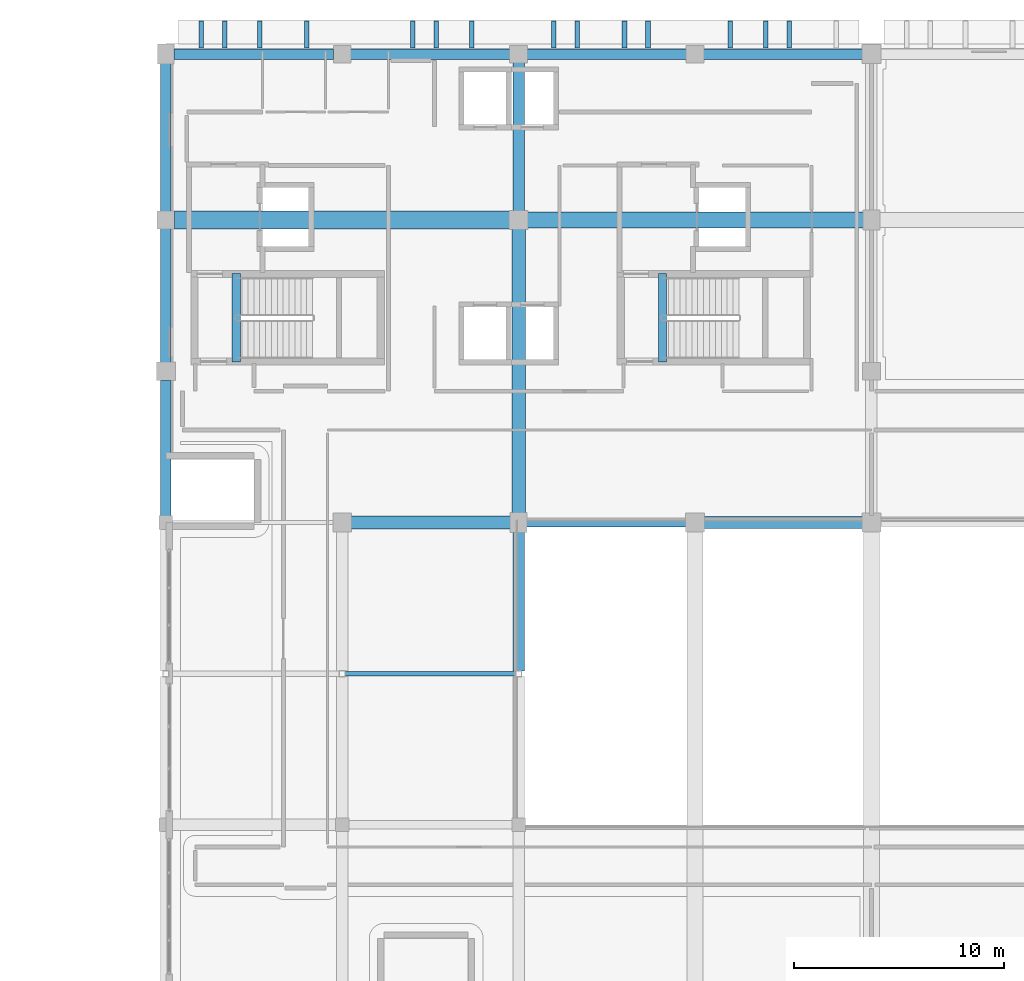
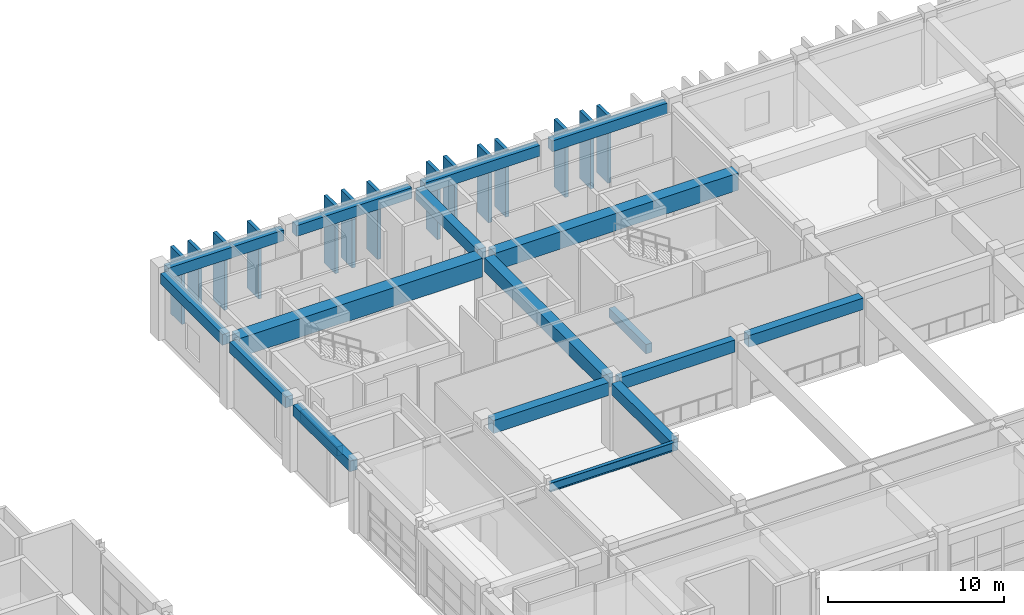
# One storey, part 35 of 78: 18 beams, 14 members.
"""IFC4 building model written with IfcOpenShell, lengths in metres."""

import ifcopenshell
import ifcopenshell.guid

model = None  # the IFC model being written
_history = None  # IfcOwnerHistory: only IFC2X3 demands one
_inside = {}  # id of a spatial element -> (the spatial element, [elements in it])
_under = {}  # id of a project, library or spatial element -> (it, [spatial elements below it])
_declared = {}  # id of a project -> (the project, [libraries it declares])
_typed = {}  # id of a type object -> (the type object, [elements of that type])
_made_of = {}  # id of a material, layer set ... -> (it, [elements and type objects made of it])


def new_model(schema):
    """Start an empty IFC model of exactly this schema.

    Asked for "IFC4X3", IfcOpenShell would pick the latest addendum, in which some entities
    have other attributes; the version numbers below select the first issue.
    IFC2X3 requires an IfcOwnerHistory on every rooted entity: one is made here for all.
    """
    global model, _history
    if schema == "IFC4X3":
        model = ifcopenshell.file(schema_version=(4, 3, 0, 0))
    else:
        model = ifcopenshell.file(schema=schema)
    _inside.clear()
    _under.clear()
    _declared.clear()
    _typed.clear()
    _made_of.clear()
    _history = None
    if model.schema == "IFC2X3":
        org = make("IfcOrganization", Name="unknown")
        user = make(
            "IfcPersonAndOrganization",
            ThePerson=make("IfcPerson", FamilyName="unknown"),
            TheOrganization=org,
        )
        app = make(
            "IfcApplication",
            ApplicationDeveloper=org,
            Version="unknown",
            ApplicationFullName="unknown",
            ApplicationIdentifier="unknown",
        )
        _history = make(
            "IfcOwnerHistory",
            OwningUser=user,
            OwningApplication=app,
            ChangeAction="ADDED",
            CreationDate=0,
        )
    return model


def make(cls, **values):
    """One entity of the class cls with the attributes given. An attribute that is None is left unset."""
    return model.create_entity(
        cls, **{name: value for name, value in values.items() if value is not None}
    )


def rooted(cls, **values):
    """An entity with a GlobalId (a new one), such as an element, a storey or a relation."""
    return make(cls, GlobalId=ifcopenshell.guid.new(), OwnerHistory=_history, **values)


def si_unit(unit_type, name, prefix=None):
    """IfcSIUnit, for example si_unit("LENGTHUNIT", "METRE", prefix="MILLI")."""
    return make("IfcSIUnit", UnitType=unit_type, Prefix=prefix, Name=name)


def assignment(units):
    """IfcUnitAssignment: the units of a project."""
    return None if units is None else make("IfcUnitAssignment", Units=units)


def point(xyz):
    """IfcCartesianPoint."""
    return None if xyz is None else make("IfcCartesianPoint", Coordinates=xyz)


def direction(xyz):
    """IfcDirection."""
    return None if xyz is None else make("IfcDirection", DirectionRatios=xyz)


def frame(location, z_axis=None, x_axis=None):
    """IfcAxis2Placement3D, a coordinate frame: its origin and axes. An axis left out is left unset."""
    return make(
        "IfcAxis2Placement3D",
        Location=point(location),
        Axis=direction(z_axis),
        RefDirection=direction(x_axis),
    )


def frame_2d(location, x_axis=None):
    """IfcAxis2Placement2D, a coordinate frame in the plane: its origin and x axis."""
    return make(
        "IfcAxis2Placement2D", Location=point(location), RefDirection=direction(x_axis)
    )


def origin():
    """The frame at (0, 0, 0) with its axes left unset."""
    return frame((0.0, 0.0, 0.0))


def origin_2d():
    """The frame at (0, 0) in the plane with its x axis left unset."""
    return frame_2d((0.0, 0.0))


def place(relative_to, where):
    """IfcLocalPlacement: puts the frame where relative to a parent placement (None: the world)."""
    return make(
        "IfcLocalPlacement", PlacementRelTo=relative_to, RelativePlacement=where
    )


def context(
    kind, dimensions, precision=None, world=None, true_north=None, identifier=None
):
    """IfcGeometricRepresentationContext, for example the 3D "Model" context."""
    return make(
        "IfcGeometricRepresentationContext",
        ContextIdentifier=identifier,
        ContextType=kind,
        CoordinateSpaceDimension=dimensions,
        Precision=precision,
        WorldCoordinateSystem=world,
        TrueNorth=true_north,
    )


def subcontext(parent, identifier, kind, view, scale=None):
    """IfcGeometricRepresentationSubContext, for example "Body" below "Model"."""
    return make(
        "IfcGeometricRepresentationSubContext",
        ContextIdentifier=identifier,
        ContextType=kind,
        ParentContext=parent,
        TargetScale=scale,
        TargetView=view,
    )


def project(units=None, contexts=None):
    """IfcProject with its units and contexts."""
    return rooted(
        "IfcProject",
        Name="project",
        RepresentationContexts=contexts,
        UnitsInContext=assignment(units),
    )


def spatial(cls, under=None, at=None, **own):
    """A site, building, storey or space (cls), placed at a placement, below another one or the project."""
    s = rooted(cls, ObjectPlacement=at, **own)
    if under is not None:
        _under.setdefault(under.id(), (under, []))[1].append(s)
    return s


def profile(cls, at=None, kind="AREA", **sizes):
    """A parametric profile (cls). Its sizes go by their IFC names, for example OverallWidth=200.0."""
    return make(cls, ProfileType=kind, Position=at, **sizes)


def rectangle(**sizes):
    """IfcRectangleProfileDef."""
    return profile("IfcRectangleProfileDef", **sizes)


def i_section(**sizes):
    """IfcIShapeProfileDef."""
    return profile("IfcIShapeProfileDef", **sizes)


def extrude(swept, where, along, depth):
    """IfcExtrudedAreaSolid: the profile swept, set in the frame where, extruded along a direction by depth."""
    return make(
        "IfcExtrudedAreaSolid",
        SweptArea=swept,
        Position=where,
        ExtrudedDirection=direction(along),
        Depth=depth,
    )


def shape(context_of_items, identifier, shape_type, items):
    """IfcShapeRepresentation: the items that make up one representation, for example the "Body"."""
    return make(
        "IfcShapeRepresentation",
        ContextOfItems=context_of_items,
        RepresentationIdentifier=identifier,
        RepresentationType=shape_type,
        Items=items,
    )


def material(Name=None, Category=None):
    """IfcMaterial."""
    return make("IfcMaterial", Name=Name, Category=Category)


def material_profile(
    of_material, cross_section, Name=None, Category=None, Priority=None
):
    """IfcMaterialProfile: a cross section and its material."""
    return make(
        "IfcMaterialProfile",
        Name=Name,
        Material=of_material,
        Profile=cross_section,
        Priority=Priority,
        Category=Category,
    )


def profile_set(profiles, Name=None, composite=None):
    """IfcMaterialProfileSet."""
    return make(
        "IfcMaterialProfileSet",
        Name=Name,
        MaterialProfiles=profiles,
        CompositeProfile=composite,
    )


def made_of(thing, what):
    """Note that an element or type object is made of a material, layer set ...; save() writes the relation."""
    if what is not None:
        _made_of.setdefault(what.id(), (what, []))[1].append(thing)
    return thing


def type_object(cls, material=None, **own):
    """A type object (cls), such as IfcWallType, which elements share."""
    return made_of(rooted(cls, **own), material)


def element(
    cls,
    number,
    at=None,
    inside=None,
    cuts=None,
    type_object=None,
    material=None,
    context=None,
    identifier="Body",
    shape_type=None,
    held_by="IfcProductDefinitionShape",
    body=None,
    shapes=None,
    **own,
):
    """One element of the class cls, such as IfcWall. Its Tag is "e" and its number.

    at: its placement. inside: the storey or other place that contains it. cuts: it is an
    opening in that element (IfcRelVoidsElement). A single representation is given by context,
    identifier, shape_type and body (its items); several are given by shapes. held_by: the class
    of the entity that holds the representations. save() writes the other relations.
    """
    e = rooted(cls, Tag="e%d" % number, ObjectPlacement=at, **own)
    if body is not None:
        shapes = [shape(context, identifier, shape_type, body)]
    if shapes is not None:
        e.Representation = make(held_by, Representations=shapes)
    if inside is not None:
        _inside.setdefault(inside.id(), (inside, []))[1].append(e)
    if cuts is not None:
        rooted(
            "IfcRelVoidsElement", RelatingBuildingElement=cuts, RelatedOpeningElement=e
        )
    if type_object is not None:
        _typed.setdefault(type_object.id(), (type_object, []))[1].append(e)
    return made_of(e, material)


def aggregate(whole, parts):
    """IfcRelAggregates: a whole, such as a stair, and the parts it consists of."""
    return rooted("IfcRelAggregates", RelatingObject=whole, RelatedObjects=parts)


def save(model, path):
    """Write the relations noted so far, then the file.

    IfcRelAggregates (storeys below a building ...), IfcRelContainedInSpatialStructure (elements
    in a storey), IfcRelDefinesByType, IfcRelAssociatesMaterial and IfcRelDeclares: one each for
    every whole, place, type object, material and project.
    """
    for whole, parts in _under.values():
        aggregate(whole, parts)
    for where, things in _inside.values():
        rooted(
            "IfcRelContainedInSpatialStructure",
            RelatedElements=things,
            RelatingStructure=where,
        )
    for kind, things in _typed.values():
        rooted("IfcRelDefinesByType", RelatedObjects=things, RelatingType=kind)
    for what, things in _made_of.values():
        rooted("IfcRelAssociatesMaterial", RelatedObjects=things, RelatingMaterial=what)
    for by, libraries in _declared.values():
        rooted("IfcRelDeclares", RelatingContext=by, RelatedDefinitions=libraries)
    model.write(path)


model = new_model("IFC4")

# Units and contexts
model_context = context("Model", 3, precision=1e-05, world=origin(), true_north=direction((0.0, 1.0)))
body_context = subcontext(model_context, "Body", "Model", "MODEL_VIEW")
ifc_project = project(units=[si_unit("LENGTHUNIT", "METRE"), si_unit("AREAUNIT", "SQUARE_METRE"), si_unit("VOLUMEUNIT", "CUBIC_METRE"), si_unit("PLANEANGLEUNIT", "RADIAN"), si_unit("MASSUNIT", "GRAM", prefix="KILO")], contexts=[model_context])

# Site, building, storey
site_placement = place(None, origin())
site = spatial("IfcSite", under=ifc_project, at=site_placement, CompositionType="ELEMENT")
building_placement = place(site_placement, origin())
building = spatial("IfcBuilding", under=site, at=building_placement, Name="Quendrovan Civic Courthouse", CompositionType="ELEMENT")
storey_placement = place(building_placement, frame((0.0, 0.0, 10.199951171875)))
storey = spatial("IfcBuildingStorey", under=building, at=storey_placement, Name="L03", CompositionType="ELEMENT", Elevation=10.199951171875)

# Beams
ifc_material_1 = material(Name="Post-tensioned concrete C50/60", Category="concrete")
ifc_material_profile_1 = material_profile(ifc_material_1, rectangle(XDim=0.75, YDim=1.199951171875, at=origin_2d()), Name="PT-GIRD-750x1200")
ifc_profile_set_1 = profile_set([ifc_material_profile_1], Name="Post-tensioned concrete C50/60")
beam_type_1 = type_object("IfcBeamType", Name="BM-PT1200", PredefinedType="BEAM", material=ifc_profile_set_1)
beam_1_placement = place(storey_placement, frame((50.830078125, 102.0, 4.06005859375), z_axis=(1.0, 0.0, 0.0), x_axis=(0.0, 1.0, 0.0)))
element("IfcBeam", 1, at=beam_1_placement, inside=storey, type_object=beam_type_1, Name="L03 Girder X0776", PredefinedType="BEAM", context=body_context, shape_type="SweptSolid", body=[
    extrude(rectangle(XDim=0.75, YDim=1.199951171875, at=origin_2d()), origin(), (0.0, 0.0, 1.0), 15.989990234375),
])
ifc_material_profile_2 = material_profile(ifc_material_1, rectangle(XDim=0.85009765625, YDim=1.300048828125, at=origin_2d()), Name="PT-GRD-850x1300")
ifc_profile_set_2 = profile_set([ifc_material_profile_2], Name="Post-tensioned concrete C50/60")
beam_type_2 = type_object("IfcBeamType", Name="BM-PT1300", PredefinedType="BEAM", material=ifc_profile_set_2)
beam_2_placement = place(storey_placement, frame((34.0048828125, 102.0, 4.010009765625), z_axis=(1.0, 0.0, 0.0), x_axis=(0.0, 1.0, 0.0)))
element("IfcBeam", 2, at=beam_2_placement, inside=storey, type_object=beam_type_2, Name="L03 Girder X0775", PredefinedType="BEAM", context=body_context, shape_type="SweptSolid", body=[
    extrude(rectangle(XDim=0.85009765625, YDim=1.300048828125, at=origin_2d()), origin(), (0.0, 0.0, 1.0), 15.965087890625),
])
ifc_material_profile_3 = material_profile(ifc_material_1, rectangle(XDim=0.64990234375, YDim=0.949951171875, at=origin_2d()), Name="PT-GIRD-650x950")
ifc_profile_set_3 = profile_set([ifc_material_profile_3], Name="Post-tensioned concrete C50/60")
beam_type_3 = type_object("IfcBeamType", Name="BM-PT950", PredefinedType="BEAM", material=ifc_profile_set_3)
beam_3_placement = place(storey_placement, frame((50.39990234375, 88.054931640625, 4.18505859375), z_axis=(0.0, 1.0, 0.0), x_axis=(-1.0, 0.0, 0.0)))
element("IfcBeam", 3, at=beam_3_placement, inside=storey, type_object=beam_type_3, Name="L03 Girder Y0838", PredefinedType="BEAM", context=body_context, shape_type="SweptSolid", body=[
    extrude(rectangle(XDim=0.64990234375, YDim=0.949951171875, at=origin_2d()), origin(), (0.0, 0.0, 1.0), 13.51513671875),
])
ifc_material_2 = material(Name="Concrete C40/50", Category="concrete")
ifc_material_profile_4 = material_profile(ifc_material_2, rectangle(XDim=0.39990234375, YDim=0.64990234375, at=origin_2d()), Name="RC-BM-400x650")
ifc_profile_set_4 = profile_set([ifc_material_profile_4], Name="Concrete C40/50")
beam_type_4 = type_object("IfcBeamType", Name="BM-RC650", PredefinedType="JOIST", material=ifc_profile_set_4)
for number, where, z_axis, x_axis, name in (
    (4, (36.949951171875, 95.25, -0.324951171875), (0.0, 1.0, 0.0), (-1.0, 0.0, 0.0), "L03 Stair ST1 Landing Trimmer Beam"),
    (5, (57.25, 95.25, -0.324951171875), (0.0, 1.0, 0.0), (-1.0, 0.0, 0.0), "L03 Stair ST2 Landing Trimmer Beam"),
):
    element("IfcBeam", number, at=place(storey_placement, frame(where, z_axis=z_axis, x_axis=x_axis)), inside=storey, type_object=beam_type_4, Name=name, PredefinedType="JOIST", context=body_context, shape_type="SweptSolid", body=[
        extrude(rectangle(XDim=0.39990234375, YDim=0.64990234375, at=origin_2d()), origin(), (0.0, 0.0, 1.0), 4.199951171875),
    ])
ifc_material_profile_5 = material_profile(ifc_material_2, rectangle(XDim=0.5, YDim=0.75, at=origin_2d()), Name="RC-BM-500x750")
ifc_profile_set_5 = profile_set([ifc_material_profile_5], Name="Concrete C40/50")
beam_type_5 = type_object("IfcBeamType", Name="BM-RC750", PredefinedType="SPANDREL", material=ifc_profile_set_5)
beam_4_placement = place(storey_placement, frame((33.97998046875, 109.89990234375, 4.28515625), z_axis=(1.0, 0.0, 0.0), x_axis=(0.0, 1.0, 0.0)))
element("IfcBeam", 6, at=beam_4_placement, inside=storey, type_object=beam_type_5, Name="L03 Girder X0782", PredefinedType="SPANDREL", context=body_context, shape_type="SweptSolid", body=[
    extrude(rectangle(XDim=0.5, YDim=0.75, at=origin_2d()), origin(), (0.0, 0.0, 1.0), 7.614990234375),
])
for number, where, z_axis, x_axis, name in (
    (7, (42.405029296875, 109.89990234375, 4.28515625), (1.0, 0.0, 0.0), (0.0, 1.0, 0.0), "L03 Girder X0783"),
    (8, (50.804931640625, 109.89990234375, 4.28515625), (1.0, 0.0, 0.0), (0.0, 1.0, 0.0), "L03 Girder X0784"),
):
    element("IfcBeam", number, at=place(storey_placement, frame(where, z_axis=z_axis, x_axis=x_axis)), inside=storey, type_object=beam_type_5, Name=name, PredefinedType="SPANDREL", context=body_context, shape_type="SweptSolid", body=[
        extrude(rectangle(XDim=0.5, YDim=0.75, at=origin_2d()), origin(), (0.0, 0.0, 1.0), 7.590087890625),
    ])
beam_5_placement = place(storey_placement, frame((59.205078125, 109.89990234375, 4.28515625), z_axis=(1.0, 0.0, 0.0), x_axis=(0.0, 1.0, 0.0)))
element("IfcBeam", 9, at=beam_5_placement, inside=storey, type_object=beam_type_5, Name="L03 Girder X0785", PredefinedType="SPANDREL", context=body_context, shape_type="SweptSolid", body=[
    extrude(rectangle(XDim=0.5, YDim=0.75, at=origin_2d()), origin(), (0.0, 0.0, 1.0), 7.56494140625),
])
beam_6_placement = place(storey_placement, frame((33.60009765625, 87.905029296875, 4.28515625), z_axis=(0.0, 1.0, 0.0), x_axis=(-1.0, 0.0, 0.0)))
element("IfcBeam", 10, at=beam_6_placement, inside=storey, type_object=beam_type_5, Name="L03 Girder Y0825", PredefinedType="SPANDREL", context=body_context, shape_type="SweptSolid", body=[
    extrude(rectangle(XDim=0.5, YDim=0.75, at=origin_2d()), origin(), (0.0, 0.0, 1.0), 6.465087890625),
])
beam_7_placement = place(storey_placement, frame((33.60009765625, 95.22998046875, 4.28515625), z_axis=(0.0, 1.0, 0.0), x_axis=(-1.0, 0.0, 0.0)))
element("IfcBeam", 11, at=beam_7_placement, inside=storey, type_object=beam_type_5, Name="L03 Girder Y0826", PredefinedType="SPANDREL", context=body_context, shape_type="SweptSolid", body=[
    extrude(rectangle(XDim=0.5, YDim=0.75, at=origin_2d()), origin(), (0.0, 0.0, 1.0), 6.364990234375),
])
beam_8_placement = place(storey_placement, frame((33.60009765625, 102.405029296875, 4.28515625), z_axis=(0.0, 1.0, 0.0), x_axis=(-1.0, 0.0, 0.0)))
element("IfcBeam", 12, at=beam_8_placement, inside=storey, type_object=beam_type_5, Name="L03 Girder Y0827", PredefinedType="SPANDREL", context=body_context, shape_type="SweptSolid", body=[
    extrude(rectangle(XDim=0.5, YDim=0.75, at=origin_2d()), origin(), (0.0, 0.0, 1.0), 7.0400390625),
])
ifc_material_profile_6 = material_profile(ifc_material_2, rectangle(XDim=0.550048828125, YDim=0.800048828125, at=origin_2d()), Name="RC-BM-550x800")
ifc_profile_set_6 = profile_set([ifc_material_profile_6], Name="Concrete C40/50")
beam_type_6 = type_object("IfcBeamType", Name="BM-RC800", PredefinedType="BEAM", material=ifc_profile_set_6)
beam_9_placement = place(storey_placement, frame((59.22998046875, 87.60009765625, 4.260009765625), z_axis=(1.0, 0.0, 0.0), x_axis=(0.0, 1.0, 0.0)))
element("IfcBeam", 13, at=beam_9_placement, inside=storey, type_object=beam_type_6, Name="L03 Girder X0763", PredefinedType="BEAM", context=body_context, shape_type="SweptSolid", body=[
    extrude(rectangle(XDim=0.550048828125, YDim=0.800048828125, at=origin_2d()), origin(), (0.0, 0.0, 1.0), 7.5400390625),
])
beam_10_placement = place(storey_placement, frame((50.39990234375, 80.530029296875, 4.260009765625), z_axis=(0.0, 1.0, 0.0), x_axis=(-1.0, 0.0, 0.0)))
element("IfcBeam", 14, at=beam_10_placement, inside=storey, type_object=beam_type_6, Name="L03 Girder Y0837", PredefinedType="BEAM", context=body_context, shape_type="SweptSolid", body=[
    extrude(rectangle(XDim=0.550048828125, YDim=0.800048828125, at=origin_2d()), origin(), (0.0, 0.0, 1.0), 6.614990234375),
])
beam_11_placement = place(storey_placement, frame((50.39990234375, 102.429931640625, 4.260009765625), z_axis=(0.0, 1.0, 0.0), x_axis=(-1.0, 0.0, 0.0)))
element("IfcBeam", 15, at=beam_11_placement, inside=storey, type_object=beam_type_6, Name="L03 Girder Y0839", PredefinedType="BEAM", context=body_context, shape_type="SweptSolid", body=[
    extrude(rectangle(XDim=0.550048828125, YDim=0.800048828125, at=origin_2d()), origin(), (0.0, 0.0, 1.0), 7.065185546875),
])
ifc_material_3 = material(Name="Concrete C45/55", Category="concrete")
ifc_material_profile_7 = material_profile(ifc_material_3, rectangle(XDim=0.449951171875, YDim=0.85009765625, at=origin_2d()), Name="RC-BM-450x850")
ifc_profile_set_7 = profile_set([ifc_material_profile_7], Name="Concrete C45/55")
beam_type_7 = type_object("IfcBeamType", Name="BM-RC850", PredefinedType="BEAM", material=ifc_profile_set_7)
beam_12_placement = place(storey_placement, frame((50.780029296875, 87.60009765625, 4.235107421875), z_axis=(1.0, 0.0, 0.0), x_axis=(0.0, 1.0, 0.0)))
element("IfcBeam", 16, at=beam_12_placement, inside=storey, type_object=beam_type_7, Name="L03 Girder X0762", PredefinedType="BEAM", context=body_context, shape_type="SweptSolid", body=[
    extrude(rectangle(XDim=0.449951171875, YDim=0.85009765625, at=origin_2d()), origin(), (0.0, 0.0, 1.0), 7.590087890625),
])
ifc_material_profile_8 = material_profile(ifc_material_2, rectangle(XDim=0.60009765625, YDim=0.89990234375, at=origin_2d()), Name="RC-BM-600x900")
ifc_profile_set_8 = profile_set([ifc_material_profile_8], Name="Concrete C40/50")
beam_type_8 = type_object("IfcBeamType", Name="BM-RC900", PredefinedType="BEAM", material=ifc_profile_set_8)
beam_13_placement = place(storey_placement, frame((42.429931640625, 87.60009765625, 4.2099609375), z_axis=(1.0, 0.0, 0.0), x_axis=(0.0, 1.0, 0.0)))
element("IfcBeam", 17, at=beam_13_placement, inside=storey, type_object=beam_type_8, Name="L03 Girder X0761", PredefinedType="BEAM", context=body_context, shape_type="SweptSolid", body=[
    extrude(rectangle(XDim=0.60009765625, YDim=0.89990234375, at=origin_2d()), origin(), (0.0, 0.0, 1.0), 7.590087890625),
])
ifc_material_4 = material(Name="Steel ASTM A992 Grade 50", Category="steel")
ifc_material_profile_9 = material_profile(ifc_material_4, i_section(OverallWidth=0.22802734375, OverallDepth=0.60693359375, WebThickness=0.01123046875, FlangeThickness=0.017333984375, at=origin_2d()), Name="W24X76")
ifc_profile_set_9 = profile_set([ifc_material_profile_9], Name="Steel ASTM A992 Grade 50")
beam_type_9 = type_object("IfcBeamType", Name="BM-STL-W24", PredefinedType="BEAM", material=ifc_profile_set_9)
beam_14_placement = place(storey_placement, frame((42.1298828125, 80.39990234375, 4.3564453125), z_axis=(1.0, 0.0, 0.0), x_axis=(0.0, 1.0, 0.0)))
element("IfcBeam", 18, at=beam_14_placement, inside=storey, type_object=beam_type_9, Name="L03 Girder X0758", PredefinedType="BEAM", context=body_context, shape_type="SweptSolid", body=[
    extrude(i_section(OverallWidth=0.22802734375, OverallDepth=0.60693359375, WebThickness=0.01123046875, FlangeThickness=0.017333984375, at=origin_2d()), origin(), (0.0, 0.0, 1.0), 8.14013671875),
])

# Members
ifc_material_5 = material(Name="Precast concrete C45/55", Category="concrete")
ifc_material_profile_10 = material_profile(ifc_material_5, rectangle(XDim=0.219970703125, YDim=1.280029296875, at=origin_2d()), Name="PC-FIN-220x1280")
ifc_profile_set_10 = profile_set([ifc_material_profile_10], Name="Precast concrete C45/55")
member_type = type_object("IfcMemberType", Name="MEM-PC-FIN1280", PredefinedType="USERDEFINED", material=ifc_profile_set_10)
for number, where, z_axis, x_axis, name in (
    (19, (35.280029296875, 110.83203125, 0.0), (0.0, 0.0, 1.0), (1.0, 0.0, 0.0), "L03 Precast Concrete Facade Fin 0001"),
    (20, (36.39990234375, 110.83203125, 0.0), (0.0, 0.0, 1.0), (1.0, 0.0, 0.0), "L03 Precast Concrete Facade Fin 0002"),
    (21, (38.080078125, 110.83203125, 0.0), (0.0, 0.0, 1.0), (1.0, 0.0, 0.0), "L03 Precast Concrete Facade Fin 0003"),
    (22, (40.320068359375, 110.83203125, 0.0), (0.0, 0.0, 1.0), (1.0, 0.0, 0.0), "L03 Precast Concrete Facade Fin 0004"),
    (23, (45.360107421875, 110.83203125, 0.0), (0.0, 0.0, 1.0), (1.0, 0.0, 0.0), "L03 Precast Concrete Facade Fin 0005"),
    (24, (46.47998046875, 110.83203125, 0.0), (0.0, 0.0, 1.0), (1.0, 0.0, 0.0), "L03 Precast Concrete Facade Fin 0006"),
    (25, (48.159912109375, 110.83203125, 0.0), (0.0, 0.0, 1.0), (1.0, 0.0, 0.0), "L03 Precast Concrete Facade Fin 0007"),
    (26, (52.080078125, 110.83203125, 0.0), (0.0, 0.0, 1.0), (1.0, 0.0, 0.0), "L03 Precast Concrete Facade Fin 0008"),
    (27, (53.199951171875, 110.83203125, 0.0), (0.0, 0.0, 1.0), (1.0, 0.0, 0.0), "L03 Precast Concrete Facade Fin 0009"),
    (28, (55.43994140625, 110.83203125, 0.0), (0.0, 0.0, 1.0), (1.0, 0.0, 0.0), "L03 Precast Concrete Facade Fin 0010"),
    (29, (56.56005859375, 110.83203125, 0.0), (0.0, 0.0, 1.0), (1.0, 0.0, 0.0), "L03 Precast Concrete Facade Fin 0011"),
    (30, (60.47998046875, 110.83203125, 0.0), (0.0, 0.0, 1.0), (1.0, 0.0, 0.0), "L03 Precast Concrete Facade Fin 0012"),
    (31, (62.159912109375, 110.83203125, 0.0), (0.0, 0.0, 1.0), (1.0, 0.0, 0.0), "L03 Precast Concrete Facade Fin 0013"),
    (32, (63.280029296875, 110.83203125, 0.0), (0.0, 0.0, 1.0), (1.0, 0.0, 0.0), "L03 Precast Concrete Facade Fin 0014"),
):
    element("IfcMember", number, at=place(storey_placement, frame(where, z_axis=z_axis, x_axis=x_axis)), inside=storey, type_object=member_type, Name=name, ObjectType="PRECAST FACADE FIN", PredefinedType="USERDEFINED", context=body_context, shape_type="SweptSolid", body=[
        extrude(rectangle(XDim=0.219970703125, YDim=1.280029296875, at=origin_2d()), origin(), (0.0, 0.0, 1.0), 4.679931640625),
    ])

save(model, "model.ifc")
